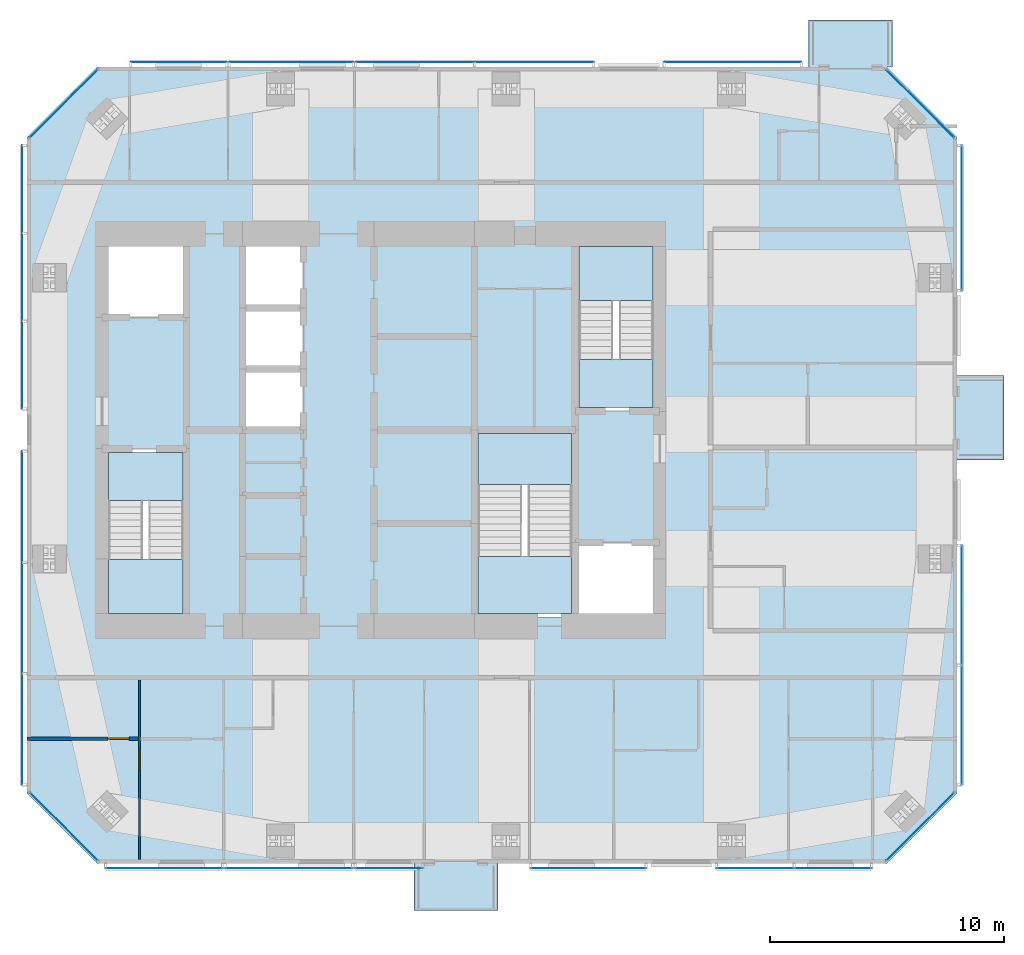
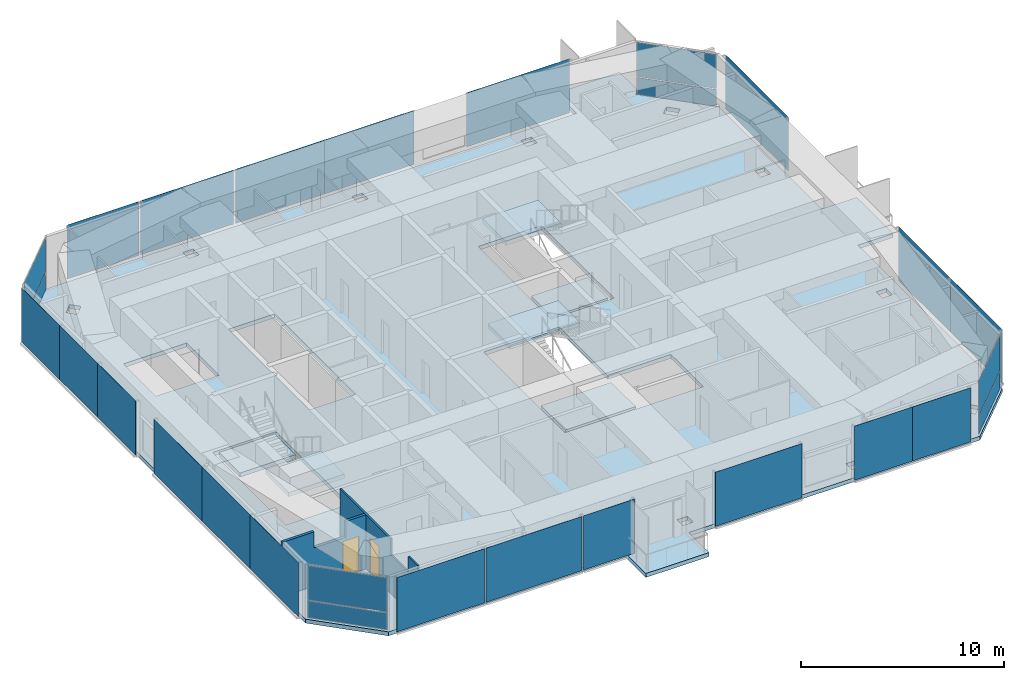
# One storey, part 12 of 18: 28 plates, 7 slabs, 2 doors, 2 walls, 2 openings, 20 elements without a shape of their own.
"""IFC4 building model written with IfcOpenShell, lengths in metres."""

import ifcopenshell
import ifcopenshell.guid

model = None  # the IFC model being written
_history = None  # IfcOwnerHistory: only IFC2X3 demands one
_inside = {}  # id of a spatial element -> (the spatial element, [elements in it])
_under = {}  # id of a project, library or spatial element -> (it, [spatial elements below it])
_declared = {}  # id of a project -> (the project, [libraries it declares])
_typed = {}  # id of a type object -> (the type object, [elements of that type])
_made_of = {}  # id of a material, layer set ... -> (it, [elements and type objects made of it])


def new_model(schema):
    """Start an empty IFC model of exactly this schema.

    Asked for "IFC4X3", IfcOpenShell would pick the latest addendum, in which some entities
    have other attributes; the version numbers below select the first issue.
    IFC2X3 requires an IfcOwnerHistory on every rooted entity: one is made here for all.
    """
    global model, _history
    if schema == "IFC4X3":
        model = ifcopenshell.file(schema_version=(4, 3, 0, 0))
    else:
        model = ifcopenshell.file(schema=schema)
    _inside.clear()
    _under.clear()
    _declared.clear()
    _typed.clear()
    _made_of.clear()
    _history = None
    if model.schema == "IFC2X3":
        org = make("IfcOrganization", Name="unknown")
        user = make(
            "IfcPersonAndOrganization",
            ThePerson=make("IfcPerson", FamilyName="unknown"),
            TheOrganization=org,
        )
        app = make(
            "IfcApplication",
            ApplicationDeveloper=org,
            Version="unknown",
            ApplicationFullName="unknown",
            ApplicationIdentifier="unknown",
        )
        _history = make(
            "IfcOwnerHistory",
            OwningUser=user,
            OwningApplication=app,
            ChangeAction="ADDED",
            CreationDate=0,
        )
    return model


def make(cls, **values):
    """One entity of the class cls with the attributes given. An attribute that is None is left unset."""
    return model.create_entity(
        cls, **{name: value for name, value in values.items() if value is not None}
    )


def rooted(cls, **values):
    """An entity with a GlobalId (a new one), such as an element, a storey or a relation."""
    return make(cls, GlobalId=ifcopenshell.guid.new(), OwnerHistory=_history, **values)


def si_unit(unit_type, name, prefix=None):
    """IfcSIUnit, for example si_unit("LENGTHUNIT", "METRE", prefix="MILLI")."""
    return make("IfcSIUnit", UnitType=unit_type, Prefix=prefix, Name=name)


def assignment(units):
    """IfcUnitAssignment: the units of a project."""
    return None if units is None else make("IfcUnitAssignment", Units=units)


def point(xyz):
    """IfcCartesianPoint."""
    return None if xyz is None else make("IfcCartesianPoint", Coordinates=xyz)


def direction(xyz):
    """IfcDirection."""
    return None if xyz is None else make("IfcDirection", DirectionRatios=xyz)


def frame(location, z_axis=None, x_axis=None):
    """IfcAxis2Placement3D, a coordinate frame: its origin and axes. An axis left out is left unset."""
    return make(
        "IfcAxis2Placement3D",
        Location=point(location),
        Axis=direction(z_axis),
        RefDirection=direction(x_axis),
    )


def frame_2d(location, x_axis=None):
    """IfcAxis2Placement2D, a coordinate frame in the plane: its origin and x axis."""
    return make(
        "IfcAxis2Placement2D", Location=point(location), RefDirection=direction(x_axis)
    )


def origin():
    """The frame at (0, 0, 0) with its axes left unset."""
    return frame((0.0, 0.0, 0.0))


def origin_2d():
    """The frame at (0, 0) in the plane with its x axis left unset."""
    return frame_2d((0.0, 0.0))


def place(relative_to, where):
    """IfcLocalPlacement: puts the frame where relative to a parent placement (None: the world)."""
    return make(
        "IfcLocalPlacement", PlacementRelTo=relative_to, RelativePlacement=where
    )


def context(
    kind, dimensions, precision=None, world=None, true_north=None, identifier=None
):
    """IfcGeometricRepresentationContext, for example the 3D "Model" context."""
    return make(
        "IfcGeometricRepresentationContext",
        ContextIdentifier=identifier,
        ContextType=kind,
        CoordinateSpaceDimension=dimensions,
        Precision=precision,
        WorldCoordinateSystem=world,
        TrueNorth=true_north,
    )


def subcontext(parent, identifier, kind, view, scale=None):
    """IfcGeometricRepresentationSubContext, for example "Body" below "Model"."""
    return make(
        "IfcGeometricRepresentationSubContext",
        ContextIdentifier=identifier,
        ContextType=kind,
        ParentContext=parent,
        TargetScale=scale,
        TargetView=view,
    )


def project(units=None, contexts=None):
    """IfcProject with its units and contexts."""
    return rooted(
        "IfcProject",
        Name="project",
        RepresentationContexts=contexts,
        UnitsInContext=assignment(units),
    )


def spatial(cls, under=None, at=None, **own):
    """A site, building, storey or space (cls), placed at a placement, below another one or the project."""
    s = rooted(cls, ObjectPlacement=at, **own)
    if under is not None:
        _under.setdefault(under.id(), (under, []))[1].append(s)
    return s


def polyline(points):
    """IfcPolyline through the points."""
    return make("IfcPolyline", Points=[point(p) for p in points])


def profile(cls, at=None, kind="AREA", **sizes):
    """A parametric profile (cls). Its sizes go by their IFC names, for example OverallWidth=200.0."""
    return make(cls, ProfileType=kind, Position=at, **sizes)


def rectangle(**sizes):
    """IfcRectangleProfileDef."""
    return profile("IfcRectangleProfileDef", **sizes)


def outline(outer, holes=None, kind="AREA"):
    """IfcArbitraryClosedProfileDef: a profile drawn as a closed curve; with holes, ...WithVoids."""
    if holes is None:
        return make("IfcArbitraryClosedProfileDef", ProfileType=kind, OuterCurve=outer)
    return make(
        "IfcArbitraryProfileDefWithVoids",
        ProfileType=kind,
        OuterCurve=outer,
        InnerCurves=holes,
    )


def extrude(swept, where, along, depth):
    """IfcExtrudedAreaSolid: the profile swept, set in the frame where, extruded along a direction by depth."""
    return make(
        "IfcExtrudedAreaSolid",
        SweptArea=swept,
        Position=where,
        ExtrudedDirection=direction(along),
        Depth=depth,
    )


def shape(context_of_items, identifier, shape_type, items):
    """IfcShapeRepresentation: the items that make up one representation, for example the "Body"."""
    return make(
        "IfcShapeRepresentation",
        ContextOfItems=context_of_items,
        RepresentationIdentifier=identifier,
        RepresentationType=shape_type,
        Items=items,
    )


def material(Name=None, Category=None):
    """IfcMaterial."""
    return make("IfcMaterial", Name=Name, Category=Category)


def layer(
    of_material, thickness, ventilated=None, Name=None, Category=None, Priority=None
):
    """IfcMaterialLayer: one layer of a wall or slab, of a material (None: an air gap)."""
    return make(
        "IfcMaterialLayer",
        Material=of_material,
        LayerThickness=thickness,
        IsVentilated=ventilated,
        Name=Name,
        Category=Category,
        Priority=Priority,
    )


def layer_set(layers, Name=None):
    """IfcMaterialLayerSet."""
    return make("IfcMaterialLayerSet", MaterialLayers=layers, LayerSetName=Name)


def constituent(of_material, Name=None, Category=None, fraction=None):
    """IfcMaterialConstituent: one of the materials an element consists of."""
    return make(
        "IfcMaterialConstituent",
        Name=Name,
        Material=of_material,
        Fraction=fraction,
        Category=Category,
    )


def constituent_set(constituents=None, Name=None):
    """IfcMaterialConstituentSet."""
    return make(
        "IfcMaterialConstituentSet", Name=Name, MaterialConstituents=constituents
    )


def made_of(thing, what):
    """Note that an element or type object is made of a material, layer set ...; save() writes the relation."""
    if what is not None:
        _made_of.setdefault(what.id(), (what, []))[1].append(thing)
    return thing


def type_object(cls, material=None, **own):
    """A type object (cls), such as IfcWallType, which elements share."""
    return made_of(rooted(cls, **own), material)


def element(
    cls,
    number,
    at=None,
    inside=None,
    cuts=None,
    type_object=None,
    material=None,
    context=None,
    identifier="Body",
    shape_type=None,
    held_by="IfcProductDefinitionShape",
    body=None,
    shapes=None,
    **own,
):
    """One element of the class cls, such as IfcWall. Its Tag is "e" and its number.

    at: its placement. inside: the storey or other place that contains it. cuts: it is an
    opening in that element (IfcRelVoidsElement). A single representation is given by context,
    identifier, shape_type and body (its items); several are given by shapes. held_by: the class
    of the entity that holds the representations. save() writes the other relations.
    """
    e = rooted(cls, Tag="e%d" % number, ObjectPlacement=at, **own)
    if body is not None:
        shapes = [shape(context, identifier, shape_type, body)]
    if shapes is not None:
        e.Representation = make(held_by, Representations=shapes)
    if inside is not None:
        _inside.setdefault(inside.id(), (inside, []))[1].append(e)
    if cuts is not None:
        rooted(
            "IfcRelVoidsElement", RelatingBuildingElement=cuts, RelatedOpeningElement=e
        )
    if type_object is not None:
        _typed.setdefault(type_object.id(), (type_object, []))[1].append(e)
    return made_of(e, material)


def fill(opening, filler):
    """IfcRelFillsElement: the door or window that sits in an opening."""
    return rooted(
        "IfcRelFillsElement",
        RelatingOpeningElement=opening,
        RelatedBuildingElement=filler,
    )


def aggregate(whole, parts):
    """IfcRelAggregates: a whole, such as a stair, and the parts it consists of."""
    return rooted("IfcRelAggregates", RelatingObject=whole, RelatedObjects=parts)


def save(model, path):
    """Write the relations noted so far, then the file.

    IfcRelAggregates (storeys below a building ...), IfcRelContainedInSpatialStructure (elements
    in a storey), IfcRelDefinesByType, IfcRelAssociatesMaterial and IfcRelDeclares: one each for
    every whole, place, type object, material and project.
    """
    for whole, parts in _under.values():
        aggregate(whole, parts)
    for where, things in _inside.values():
        rooted(
            "IfcRelContainedInSpatialStructure",
            RelatedElements=things,
            RelatingStructure=where,
        )
    for kind, things in _typed.values():
        rooted("IfcRelDefinesByType", RelatedObjects=things, RelatingType=kind)
    for what, things in _made_of.values():
        rooted("IfcRelAssociatesMaterial", RelatedObjects=things, RelatingMaterial=what)
    for by, libraries in _declared.values():
        rooted("IfcRelDeclares", RelatingContext=by, RelatedDefinitions=libraries)
    model.write(path)


model = new_model("IFC4")

# Units and contexts
model_context = context("Model", 3, precision=1e-05, world=origin(), true_north=direction((0.0, 1.0)))
body_context = subcontext(model_context, "Body", "Model", "MODEL_VIEW")
ifc_project = project(units=[si_unit("LENGTHUNIT", "METRE"), si_unit("AREAUNIT", "SQUARE_METRE"), si_unit("VOLUMEUNIT", "CUBIC_METRE"), si_unit("PLANEANGLEUNIT", "RADIAN"), si_unit("MASSUNIT", "GRAM", prefix="KILO")], contexts=[model_context])

# Site, building, storey
site_placement = place(None, origin())
site = spatial("IfcSite", under=ifc_project, at=site_placement, CompositionType="ELEMENT")
building_placement = place(site_placement, origin())
building = spatial("IfcBuilding", under=site, at=building_placement, Name="Jalousie Tower", CompositionType="ELEMENT")
storey_placement = place(building_placement, frame((0.0, 0.0, 252.949951171875)))
storey = spatial("IfcBuildingStorey", under=building, at=storey_placement, Name="L69", CompositionType="ELEMENT", Elevation=252.949951171875)

# Curtain wall, plates
ifc_material_1 = material(Name="Aluminium curtain wall", Category="aluminium")
curtain_wall_type_1 = type_object("IfcCurtainWallType", Name="CORNER WINDOW WALL", PredefinedType="USERDEFINED", material=ifc_material_1)
curtain_wall_1_placement = place(storey_placement, origin())
curtain_wall_1 = element("IfcCurtainWall", 1, at=curtain_wall_1_placement, inside=storey, type_object=curtain_wall_type_1, Name="Corner Window Wall L69 2", ObjectType="CORNER WINDOW WALL", PredefinedType="USERDEFINED")
ifc_material_2 = material(Name="Laminated impact-rated spandrel glass", Category="glass")
ifc_layer_1 = layer(ifc_material_2, 0.028076171875)
ifc_layer_set_1 = layer_set([ifc_layer_1], Name="Laminated impact-rated spandrel glass")
plate_type_1 = type_object("IfcPlateType", Name="CORNER WINDOW WALL PANEL", PredefinedType="CURTAIN_PANEL", material=ifc_layer_set_1)
plate_1_placement = place(storey_placement, frame((54.9306640625, 1.5693359375, 0.06005859375), z_axis=(0.0, 0.0, 1.0), x_axis=(0.707106781187, 0.707106781187, 0.0)))
plate_1 = element("IfcPlate", 2, at=plate_1_placement, type_object=plate_type_1, Name="CW-C panel 1.1", PredefinedType="CURTAIN_PANEL", context=body_context, shape_type="SweptSolid", body=[
    extrude(rectangle(XDim=4.071533203125, YDim=0.028076171875, at=origin_2d()), origin(), (0.0, 0.0, 1.0), 1.010009765625),
])
plate_2_placement = place(storey_placement, frame((54.9306640625, 1.5693359375, 1.1298828125), z_axis=(0.0, 0.0, 1.0), x_axis=(0.707106781187, 0.707106781187, 0.0)))
plate_2 = element("IfcPlate", 3, at=plate_2_placement, type_object=plate_type_1, Name="CW-C panel 1.2", PredefinedType="CURTAIN_PANEL", context=body_context, shape_type="SweptSolid", body=[
    extrude(rectangle(XDim=4.071533203125, YDim=0.028076171875, at=origin_2d()), origin(), (0.0, 0.0, 1.0), 2.070068359375),
])
aggregate(curtain_wall_1, [plate_1, plate_2])

curtain_wall_2_placement = place(storey_placement, origin())
curtain_wall_2 = element("IfcCurtainWall", 4, at=curtain_wall_2_placement, inside=storey, type_object=curtain_wall_type_1, Name="Corner Window Wall L69 4", ObjectType="CORNER WINDOW WALL", PredefinedType="USERDEFINED")
plate_3_placement = place(storey_placement, frame((54.9306640625, 32.4306640625, 0.06005859375), z_axis=(0.0, 0.0, 1.0), x_axis=(-0.707106781187, 0.707106781187, 0.0)))
plate_3 = element("IfcPlate", 5, at=plate_3_placement, type_object=plate_type_1, Name="CW-C panel 1.1", PredefinedType="CURTAIN_PANEL", context=body_context, shape_type="SweptSolid", body=[
    extrude(rectangle(XDim=4.071533203125, YDim=0.028076171875, at=origin_2d()), origin(), (0.0, 0.0, 1.0), 1.010009765625),
])
plate_4_placement = place(storey_placement, frame((54.9306640625, 32.4306640625, 1.1298828125), z_axis=(0.0, 0.0, 1.0), x_axis=(-0.707106781187, 0.707106781187, 0.0)))
plate_4 = element("IfcPlate", 6, at=plate_4_placement, type_object=plate_type_1, Name="CW-C panel 1.2", PredefinedType="CURTAIN_PANEL", context=body_context, shape_type="SweptSolid", body=[
    extrude(rectangle(XDim=4.071533203125, YDim=0.028076171875, at=origin_2d()), origin(), (0.0, 0.0, 1.0), 2.070068359375),
])
aggregate(curtain_wall_2, [plate_3, plate_4])

curtain_wall_3_placement = place(storey_placement, origin())
curtain_wall_3 = element("IfcCurtainWall", 7, at=curtain_wall_3_placement, inside=storey, type_object=curtain_wall_type_1, Name="Corner Window Wall L69 6", ObjectType="CORNER WINDOW WALL", PredefinedType="USERDEFINED")
plate_5_placement = place(storey_placement, frame((18.369384765625, 32.4306640625, 0.06005859375), z_axis=(0.0, 0.0, 1.0), x_axis=(-0.707106781187, -0.707106781187, 0.0)))
plate_5 = element("IfcPlate", 8, at=plate_5_placement, type_object=plate_type_1, Name="CW-C panel 1.1", PredefinedType="CURTAIN_PANEL", context=body_context, shape_type="SweptSolid", body=[
    extrude(rectangle(XDim=4.071533203125, YDim=0.028076171875, at=origin_2d()), origin(), (0.0, 0.0, 1.0), 1.010009765625),
])
plate_6_placement = place(storey_placement, frame((18.369384765625, 32.4306640625, 1.1298828125), z_axis=(0.0, 0.0, 1.0), x_axis=(-0.707106781187, -0.707106781187, 0.0)))
plate_6 = element("IfcPlate", 9, at=plate_6_placement, type_object=plate_type_1, Name="CW-C panel 1.2", PredefinedType="CURTAIN_PANEL", context=body_context, shape_type="SweptSolid", body=[
    extrude(rectangle(XDim=4.071533203125, YDim=0.028076171875, at=origin_2d()), origin(), (0.0, 0.0, 1.0), 2.070068359375),
])
aggregate(curtain_wall_3, [plate_5, plate_6])

curtain_wall_4_placement = place(storey_placement, origin())
curtain_wall_4 = element("IfcCurtainWall", 10, at=curtain_wall_4_placement, inside=storey, type_object=curtain_wall_type_1, Name="Corner Window Wall L69 8", ObjectType="CORNER WINDOW WALL", PredefinedType="USERDEFINED")
plate_7_placement = place(storey_placement, frame((18.369384765625, 1.5693359375, 0.06005859375), z_axis=(0.0, 0.0, 1.0), x_axis=(0.707106781187, -0.707106781187, 0.0)))
plate_7 = element("IfcPlate", 11, at=plate_7_placement, type_object=plate_type_1, Name="CW-C panel 1.1", PredefinedType="CURTAIN_PANEL", context=body_context, shape_type="SweptSolid", body=[
    extrude(rectangle(XDim=4.071533203125, YDim=0.028076171875, at=origin_2d()), origin(), (0.0, 0.0, 1.0), 1.010009765625),
])
plate_8_placement = place(storey_placement, frame((18.369384765625, 1.5693359375, 1.1298828125), z_axis=(0.0, 0.0, 1.0), x_axis=(0.707106781187, -0.707106781187, 0.0)))
plate_8 = element("IfcPlate", 12, at=plate_8_placement, type_object=plate_type_1, Name="CW-C panel 1.2", PredefinedType="CURTAIN_PANEL", context=body_context, shape_type="SweptSolid", body=[
    extrude(rectangle(XDim=4.071533203125, YDim=0.028076171875, at=origin_2d()), origin(), (0.0, 0.0, 1.0), 2.070068359375),
])
aggregate(curtain_wall_4, [plate_7, plate_8])

# Slab
ifc_material_3 = material(Name="Concrete f'c 40 MPa", Category="concrete")
ifc_layer_2 = layer(ifc_material_3, 0.239990234375)
ifc_layer_set_2 = layer_set([ifc_layer_2], Name="Concrete f'c 40 MPa")
slab_type_1 = type_object("IfcSlabType", Name="FLOOR SLAB 240", PredefinedType="FLOOR", material=ifc_layer_set_2)
slab_1_placement = place(storey_placement, frame((0.0, 0.0, -0.239990234375)))
element("IfcSlab", 13, at=slab_1_placement, inside=storey, type_object=slab_type_1, Name="L69 floor slab", PredefinedType="FLOOR", context=body_context, shape_type="SweptSolid", body=[
    extrude(outline(polyline([(19.800048828125, 34.0), (50.148681640625, 34.0), (50.148681640625, 36.0), (53.748779296875, 36.0), (53.748779296875, 34.0), (53.5, 34.0), (56.5, 31.0), (56.5, 20.824951171875), (58.5, 20.824951171875), (58.5, 17.22509765625), (56.5, 17.22509765625), (56.5, 3.0), (53.5, 0.0), (36.909912109375, 0.0), (36.909912109375, -2.0), (33.31005859375, -2.0), (33.31005859375, 0.0), (19.800048828125, 0.0), (16.800048828125, 3.0), (16.800048828125, 31.0), (19.800048828125, 34.0)]), holes=[polyline([(55.263916015625, 25.300048828125), (55.263916015625, 24.699951171875), (55.836181640625, 24.699951171875), (55.836181640625, 25.300048828125), (55.263916015625, 25.300048828125)]), polyline([(55.836181640625, 12.699951171875), (55.836181640625, 13.300048828125), (55.263916015625, 13.300048828125), (55.263916015625, 12.699951171875), (55.836181640625, 12.699951171875)]), polyline([(54.337890625, 2.656982421875), (53.843017578125, 2.162109375), (54.247802734375, 1.757080078125), (54.742919921875, 2.252197265625), (54.337890625, 2.656982421875)]), polyline([(54.742919921875, 31.747802734375), (54.247802734375, 32.242919921875), (53.843017578125, 31.837890625), (54.337890625, 31.343017578125), (54.742919921875, 31.747802734375)]), polyline([(47.175048828125, 33.336181640625), (46.574951171875, 33.336181640625), (46.574951171875, 32.763916015625), (47.175048828125, 32.763916015625), (47.175048828125, 33.336181640625)]), polyline([(47.175048828125, 1.236083984375), (46.574951171875, 1.236083984375), (46.574951171875, 0.663818359375), (47.175048828125, 0.663818359375), (47.175048828125, 1.236083984375)]), polyline([(40.199951171875, 26.5), (40.199951171875, 19.300048828125), (43.800048828125, 19.300048828125), (43.800048828125, 26.5), (40.199951171875, 26.5)]), polyline([(40.199951171875, 13.699951171875), (40.199951171875, 18.5), (35.89990234375, 18.5), (35.89990234375, 10.5), (43.800048828125, 10.5), (43.800048828125, 13.699951171875), (40.199951171875, 13.699951171875)]), polyline([(36.949951171875, 0.663818359375), (37.550048828125, 0.663818359375), (37.550048828125, 1.236083984375), (36.949951171875, 1.236083984375), (36.949951171875, 0.663818359375)]), polyline([(37.550048828125, 33.336181640625), (36.949951171875, 33.336181640625), (36.949951171875, 32.763916015625), (37.550048828125, 32.763916015625), (37.550048828125, 33.336181640625)]), polyline([(26.0, 26.5), (26.0, 18.5), (28.60009765625, 18.5), (28.60009765625, 26.5), (26.0, 26.5)]), polyline([(27.925048828125, 33.336181640625), (27.324951171875, 33.336181640625), (27.324951171875, 32.763916015625), (27.925048828125, 32.763916015625), (27.925048828125, 33.336181640625)]), polyline([(27.925048828125, 1.236083984375), (27.324951171875, 1.236083984375), (27.324951171875, 0.663818359375), (27.925048828125, 0.663818359375), (27.925048828125, 1.236083984375)]), polyline([(20.0, 26.5), (20.0, 23.300048828125), (23.60009765625, 23.300048828125), (23.60009765625, 26.5), (20.0, 26.5)]), polyline([(20.0, 17.699951171875), (20.0, 10.5), (23.60009765625, 10.5), (23.60009765625, 17.699951171875), (20.0, 17.699951171875)]), polyline([(20.656982421875, 2.162109375), (20.162109375, 2.656982421875), (19.757080078125, 2.252197265625), (20.252197265625, 1.757080078125), (20.656982421875, 2.162109375)]), polyline([(20.656982421875, 31.837890625), (20.252197265625, 32.242919921875), (19.757080078125, 31.747802734375), (20.162109375, 31.343017578125), (20.656982421875, 31.837890625)]), polyline([(17.4638671875, 13.300048828125), (17.4638671875, 12.699951171875), (18.0361328125, 12.699951171875), (18.0361328125, 13.300048828125), (17.4638671875, 13.300048828125)]), polyline([(18.0361328125, 24.699951171875), (18.0361328125, 25.300048828125), (17.4638671875, 25.300048828125), (17.4638671875, 24.699951171875), (18.0361328125, 24.699951171875)])]), origin(), (0.0, 0.0, 1.0), 0.239990234375),
])

# Curtain wall, plate
ifc_material_4 = material(Name="Perforated aluminium sheet", Category="aluminium")
curtain_wall_type_2 = type_object("IfcCurtainWallType", Name="SOLAR SCREEN SS-2", PredefinedType="USERDEFINED", material=ifc_material_4)
curtain_wall_5_placement = place(storey_placement, origin())
curtain_wall_5 = element("IfcCurtainWall", 14, at=curtain_wall_5_placement, inside=storey, type_object=curtain_wall_type_2, Name="Solar screen L69", ObjectType="SOLAR SCREEN SS-2", PredefinedType="USERDEFINED")
ifc_material_5 = material(Name="Perforated aluminium sheet", Category="aluminium")
ifc_layer_3 = layer(ifc_material_5, 0.006103515625)
ifc_layer_set_3 = layer_set([ifc_layer_3], Name="Perforated aluminium sheet")
plate_type_2 = type_object("IfcPlateType", Name="SOLAR SCREEN SS-2 PANEL", PredefinedType="CURTAIN_PANEL", material=ifc_layer_set_3)
plate_9_placement = place(storey_placement, frame((22.650634765625, -0.201171875, 0.0), z_axis=(0.0, 0.0, 1.0), x_axis=(1.0, 0.0, 0.0)))
plate_9 = element("IfcPlate", 15, at=plate_9_placement, type_object=plate_type_2, Name="SS2 perforated panel 1", PredefinedType="CURTAIN_PANEL", context=body_context, shape_type="SweptSolid", body=[
    extrude(rectangle(XDim=4.998779296875, YDim=0.006103515625, at=origin_2d()), origin(), (0.0, 0.0, 1.0), 3.260009765625),
])
aggregate(curtain_wall_5, [plate_9])

curtain_wall_6_placement = place(storey_placement, origin())
curtain_wall_6 = element("IfcCurtainWall", 16, at=curtain_wall_6_placement, inside=storey, type_object=curtain_wall_type_2, Name="Solar screen L69", ObjectType="SOLAR SCREEN SS-2", PredefinedType="USERDEFINED")
plate_10_placement = place(storey_placement, frame((27.97509765625, -0.201171875, 0.0), z_axis=(0.0, 0.0, 1.0), x_axis=(1.0, 0.0, 0.0)))
plate_10 = element("IfcPlate", 17, at=plate_10_placement, type_object=plate_type_2, Name="SS2 perforated panel 1", PredefinedType="CURTAIN_PANEL", context=body_context, shape_type="SweptSolid", body=[
    extrude(rectangle(XDim=5.449951171875, YDim=0.006103515625, at=origin_2d()), origin(), (0.0, 0.0, 1.0), 3.260009765625),
])
aggregate(curtain_wall_6, [plate_10])

curtain_wall_7_placement = place(storey_placement, origin())
curtain_wall_7 = element("IfcCurtainWall", 18, at=curtain_wall_7_placement, inside=storey, type_object=curtain_wall_type_2, Name="Solar screen L69", ObjectType="SOLAR SCREEN SS-2", PredefinedType="USERDEFINED")
plate_11_placement = place(storey_placement, frame((32.25, -0.201171875, 0.0), z_axis=(0.0, 0.0, 1.0), x_axis=(1.0, 0.0, 0.0)))
plate_11 = element("IfcPlate", 19, at=plate_11_placement, type_object=plate_type_2, Name="SS2 perforated panel 1", PredefinedType="CURTAIN_PANEL", context=body_context, shape_type="SweptSolid", body=[
    extrude(rectangle(XDim=2.89990234375, YDim=0.006103515625, at=origin_2d()), origin(), (0.0, 0.0, 1.0), 3.260009765625),
])
aggregate(curtain_wall_7, [plate_11])

curtain_wall_8_placement = place(storey_placement, origin())
curtain_wall_8 = element("IfcCurtainWall", 20, at=curtain_wall_8_placement, inside=storey, type_object=curtain_wall_type_2, Name="Solar screen L69", ObjectType="SOLAR SCREEN SS-2", PredefinedType="USERDEFINED")
plate_12_placement = place(storey_placement, frame((40.762451171875, -0.201171875, 0.0), z_axis=(0.0, 0.0, 1.0), x_axis=(1.0, 0.0, 0.0)))
plate_12 = element("IfcPlate", 21, at=plate_12_placement, type_object=plate_type_2, Name="SS2 perforated panel 1", PredefinedType="CURTAIN_PANEL", context=body_context, shape_type="SweptSolid", body=[
    extrude(rectangle(XDim=4.925048828125, YDim=0.006103515625, at=origin_2d()), origin(), (0.0, 0.0, 1.0), 3.260009765625),
])
aggregate(curtain_wall_8, [plate_12])

# Curtain wall, plates
curtain_wall_9_placement = place(storey_placement, origin())
curtain_wall_9 = element("IfcCurtainWall", 22, at=curtain_wall_9_placement, inside=storey, type_object=curtain_wall_type_2, Name="Solar screen L69", ObjectType="SOLAR SCREEN SS-2", PredefinedType="USERDEFINED")
plate_13_placement = place(storey_placement, frame((47.88134765625, -0.201171875, 0.0), z_axis=(0.0, 0.0, 1.0), x_axis=(1.0, 0.0, 0.0)))
plate_13 = element("IfcPlate", 23, at=plate_13_placement, type_object=plate_type_2, Name="SS2 perforated panel 1", PredefinedType="CURTAIN_PANEL", context=body_context, shape_type="SweptSolid", body=[
    extrude(rectangle(XDim=3.3125, YDim=0.006103515625, at=origin_2d()), origin(), (0.0, 0.0, 1.0), 3.260009765625),
])
plate_14_placement = place(storey_placement, frame((51.19384765625, -0.201171875, 0.0), z_axis=(0.0, 0.0, 1.0), x_axis=(1.0, 0.0, 0.0)))
plate_14 = element("IfcPlate", 24, at=plate_14_placement, type_object=plate_type_2, Name="SS2 perforated panel 2", PredefinedType="CURTAIN_PANEL", context=body_context, shape_type="SweptSolid", body=[
    extrude(rectangle(XDim=3.3125, YDim=0.006103515625, at=origin_2d()), origin(), (0.0, 0.0, 1.0), 3.260009765625),
])
aggregate(curtain_wall_9, [plate_13, plate_14])

curtain_wall_10_placement = place(storey_placement, origin())
curtain_wall_10 = element("IfcCurtainWall", 25, at=curtain_wall_10_placement, inside=storey, type_object=curtain_wall_type_2, Name="Solar screen L69", ObjectType="SOLAR SCREEN SS-2", PredefinedType="USERDEFINED")
plate_15_placement = place(storey_placement, frame((56.701171875, 5.908935546875, 0.0), z_axis=(0.0, 0.0, 1.0), x_axis=(0.0, 1.0, 0.0)))
plate_15 = element("IfcPlate", 26, at=plate_15_placement, type_object=plate_type_2, Name="SS2 perforated panel 1", PredefinedType="CURTAIN_PANEL", context=body_context, shape_type="SweptSolid", body=[
    extrude(rectangle(XDim=5.115234375, YDim=0.006103515625, at=origin_2d()), origin(), (0.0, 0.0, 1.0), 3.260009765625),
])
plate_16_placement = place(storey_placement, frame((56.701171875, 11.024169921875, 0.0), z_axis=(0.0, 0.0, 1.0), x_axis=(0.0, 1.0, 0.0)))
plate_16 = element("IfcPlate", 27, at=plate_16_placement, type_object=plate_type_2, Name="SS2 perforated panel 2", PredefinedType="CURTAIN_PANEL", context=body_context, shape_type="SweptSolid", body=[
    extrude(rectangle(XDim=5.115234375, YDim=0.006103515625, at=origin_2d()), origin(), (0.0, 0.0, 1.0), 3.260009765625),
])
aggregate(curtain_wall_10, [plate_15, plate_16])

# Curtain wall, plate
curtain_wall_11_placement = place(storey_placement, origin())
curtain_wall_11 = element("IfcCurtainWall", 28, at=curtain_wall_11_placement, inside=storey, type_object=curtain_wall_type_2, Name="Solar screen L69", ObjectType="SOLAR SCREEN SS-2", PredefinedType="USERDEFINED")
plate_17_placement = place(storey_placement, frame((56.701171875, 27.54931640625, 0.0), z_axis=(0.0, 0.0, 1.0), x_axis=(0.0, 1.0, 0.0)))
plate_17 = element("IfcPlate", 29, at=plate_17_placement, type_object=plate_type_2, Name="SS2 perforated panel 1", PredefinedType="CURTAIN_PANEL", context=body_context, shape_type="SweptSolid", body=[
    extrude(rectangle(XDim=6.19873046875, YDim=0.006103515625, at=origin_2d()), origin(), (0.0, 0.0, 1.0), 3.260009765625),
])
aggregate(curtain_wall_11, [plate_17])

curtain_wall_12_placement = place(storey_placement, origin())
curtain_wall_12 = element("IfcCurtainWall", 30, at=curtain_wall_12_placement, inside=storey, type_object=curtain_wall_type_2, Name="Solar screen L69", ObjectType="SOLAR SCREEN SS-2", PredefinedType="USERDEFINED")
plate_18_placement = place(storey_placement, frame((46.918701171875, 34.201171875, 0.0), z_axis=(0.0, 0.0, 1.0), x_axis=(-1.0, 0.0, 0.0)))
plate_18 = element("IfcPlate", 31, at=plate_18_placement, type_object=plate_type_2, Name="SS2 perforated panel 1", PredefinedType="CURTAIN_PANEL", context=body_context, shape_type="SweptSolid", body=[
    extrude(rectangle(XDim=5.860107421875, YDim=0.006103515625, at=origin_2d()), origin(), (0.0, 0.0, 1.0), 3.260009765625),
])
aggregate(curtain_wall_12, [plate_18])

# Curtain wall, plates
curtain_wall_13_placement = place(storey_placement, origin())
curtain_wall_13 = element("IfcCurtainWall", 32, at=curtain_wall_13_placement, inside=storey, type_object=curtain_wall_type_2, Name="Solar screen L69", ObjectType="SOLAR SCREEN SS-2", PredefinedType="USERDEFINED")
plate_19_placement = place(storey_placement, frame((38.44775390625, 34.201171875, 0.0), z_axis=(0.0, 0.0, 1.0), x_axis=(-1.0, 0.0, 0.0)))
plate_19 = element("IfcPlate", 33, at=plate_19_placement, type_object=plate_type_2, Name="SS2 perforated panel 1", PredefinedType="CURTAIN_PANEL", context=body_context, shape_type="SweptSolid", body=[
    extrude(rectangle(XDim=5.081787109375, YDim=0.006103515625, at=origin_2d()), origin(), (0.0, 0.0, 1.0), 3.260009765625),
])
plate_20_placement = place(storey_placement, frame((33.365966796875, 34.201171875, 0.0), z_axis=(0.0, 0.0, 1.0), x_axis=(-1.0, 0.0, 0.0)))
plate_20 = element("IfcPlate", 34, at=plate_20_placement, type_object=plate_type_2, Name="SS2 perforated panel 2", PredefinedType="CURTAIN_PANEL", context=body_context, shape_type="SweptSolid", body=[
    extrude(rectangle(XDim=5.081787109375, YDim=0.006103515625, at=origin_2d()), origin(), (0.0, 0.0, 1.0), 3.260009765625),
])
aggregate(curtain_wall_13, [plate_19, plate_20])

# Curtain wall, plate
curtain_wall_14_placement = place(storey_placement, origin())
curtain_wall_14 = element("IfcCurtainWall", 35, at=curtain_wall_14_placement, inside=storey, type_object=curtain_wall_type_2, Name="Solar screen L69", ObjectType="SOLAR SCREEN SS-2", PredefinedType="USERDEFINED")
plate_21_placement = place(storey_placement, frame((28.074951171875, 34.201171875, 0.0), z_axis=(0.0, 0.0, 1.0), x_axis=(-1.0, 0.0, 0.0)))
plate_21 = element("IfcPlate", 36, at=plate_21_placement, type_object=plate_type_2, Name="SS2 perforated panel 1", PredefinedType="CURTAIN_PANEL", context=body_context, shape_type="SweptSolid", body=[
    extrude(rectangle(XDim=5.300048828125, YDim=0.006103515625, at=origin_2d()), origin(), (0.0, 0.0, 1.0), 3.260009765625),
])
aggregate(curtain_wall_14, [plate_21])

curtain_wall_15_placement = place(storey_placement, origin())
curtain_wall_15 = element("IfcCurtainWall", 37, at=curtain_wall_15_placement, inside=storey, type_object=curtain_wall_type_2, Name="Solar screen L69", ObjectType="SOLAR SCREEN SS-2", PredefinedType="USERDEFINED")
plate_22_placement = place(storey_placement, frame((23.275634765625, 34.201171875, 0.0), z_axis=(0.0, 0.0, 1.0), x_axis=(-1.0, 0.0, 0.0)))
plate_22 = element("IfcPlate", 38, at=plate_22_placement, type_object=plate_type_2, Name="SS2 perforated panel 1", PredefinedType="CURTAIN_PANEL", context=body_context, shape_type="SweptSolid", body=[
    extrude(rectangle(XDim=4.0986328125, YDim=0.006103515625, at=origin_2d()), origin(), (0.0, 0.0, 1.0), 3.260009765625),
])
aggregate(curtain_wall_15, [plate_22])

# Curtain wall, plates
curtain_wall_16_placement = place(storey_placement, origin())
curtain_wall_16 = element("IfcCurtainWall", 39, at=curtain_wall_16_placement, inside=storey, type_object=curtain_wall_type_2, Name="Solar screen L69", ObjectType="SOLAR SCREEN SS-2", PredefinedType="USERDEFINED")
plate_23_placement = place(storey_placement, frame((16.598876953125, 28.77392578125, 0.0), z_axis=(0.0, 0.0, 1.0), x_axis=(0.0, -1.0, 0.0)))
plate_23 = element("IfcPlate", 40, at=plate_23_placement, type_object=plate_type_2, Name="SS2 perforated panel 1", PredefinedType="CURTAIN_PANEL", context=body_context, shape_type="SweptSolid", body=[
    extrude(rectangle(XDim=3.74951171875, YDim=0.006103515625, at=origin_2d()), origin(), (0.0, 0.0, 1.0), 3.260009765625),
])
plate_24_placement = place(storey_placement, frame((16.598876953125, 25.0244140625, 0.0), z_axis=(0.0, 0.0, 1.0), x_axis=(0.0, -1.0, 0.0)))
plate_24 = element("IfcPlate", 41, at=plate_24_placement, type_object=plate_type_2, Name="SS2 perforated panel 2", PredefinedType="CURTAIN_PANEL", context=body_context, shape_type="SweptSolid", body=[
    extrude(rectangle(XDim=3.74951171875, YDim=0.006103515625, at=origin_2d()), origin(), (0.0, 0.0, 1.0), 3.260009765625),
])
plate_25_placement = place(storey_placement, frame((16.598876953125, 21.27490234375, 0.0), z_axis=(0.0, 0.0, 1.0), x_axis=(0.0, -1.0, 0.0)))
plate_25 = element("IfcPlate", 42, at=plate_25_placement, type_object=plate_type_2, Name="SS2 perforated panel 3", PredefinedType="CURTAIN_PANEL", context=body_context, shape_type="SweptSolid", body=[
    extrude(rectangle(XDim=3.74951171875, YDim=0.006103515625, at=origin_2d()), origin(), (0.0, 0.0, 1.0), 3.260009765625),
])
aggregate(curtain_wall_16, [plate_23, plate_24, plate_25])

curtain_wall_17_placement = place(storey_placement, origin())
curtain_wall_17 = element("IfcCurtainWall", 43, at=curtain_wall_17_placement, inside=storey, type_object=curtain_wall_type_2, Name="Solar screen L69", ObjectType="SOLAR SCREEN SS-2", PredefinedType="USERDEFINED")
plate_26_placement = place(storey_placement, frame((16.598876953125, 15.22509765625, 0.0), z_axis=(0.0, 0.0, 1.0), x_axis=(0.0, -1.0, 0.0)))
plate_26 = element("IfcPlate", 44, at=plate_26_placement, type_object=plate_type_2, Name="SS2 perforated panel 1", PredefinedType="CURTAIN_PANEL", context=body_context, shape_type="SweptSolid", body=[
    extrude(rectangle(XDim=4.74951171875, YDim=0.006103515625, at=origin_2d()), origin(), (0.0, 0.0, 1.0), 3.260009765625),
])
plate_27_placement = place(storey_placement, frame((16.598876953125, 10.4755859375, 0.0), z_axis=(0.0, 0.0, 1.0), x_axis=(0.0, -1.0, 0.0)))
plate_27 = element("IfcPlate", 45, at=plate_27_placement, type_object=plate_type_2, Name="SS2 perforated panel 2", PredefinedType="CURTAIN_PANEL", context=body_context, shape_type="SweptSolid", body=[
    extrude(rectangle(XDim=4.74951171875, YDim=0.006103515625, at=origin_2d()), origin(), (0.0, 0.0, 1.0), 3.260009765625),
])
plate_28_placement = place(storey_placement, frame((16.598876953125, 5.72607421875, 0.0), z_axis=(0.0, 0.0, 1.0), x_axis=(0.0, -1.0, 0.0)))
plate_28 = element("IfcPlate", 46, at=plate_28_placement, type_object=plate_type_2, Name="SS2 perforated panel 3", PredefinedType="CURTAIN_PANEL", context=body_context, shape_type="SweptSolid", body=[
    extrude(rectangle(XDim=4.74951171875, YDim=0.006103515625, at=origin_2d()), origin(), (0.0, 0.0, 1.0), 3.260009765625),
])
aggregate(curtain_wall_17, [plate_26, plate_27, plate_28])

# Stair, slabs
ifc_material_6 = material(Name="Concrete f'c 40 MPa", Category="concrete")
stair_type = type_object("IfcStairType", Name="EXIT STAIR", PredefinedType="HALF_TURN_STAIR", material=ifc_material_6)
stair_1_placement = place(storey_placement, origin())
stair_1 = element("IfcStair", 47, at=stair_1_placement, inside=storey, type_object=stair_type, Name="Exit stair A L69", PredefinedType="HALF_TURN_STAIR")
ifc_material_7 = material(Name="Concrete f'c 40 MPa", Category="concrete")
ifc_layer_4 = layer(ifc_material_7, 0.25)
ifc_layer_set_4 = layer_set([ifc_layer_4], Name="Concrete f'c 40 MPa")
slab_type_2 = type_object("IfcSlabType", Name="STAIR LANDING 250", PredefinedType="LANDING", material=ifc_layer_set_4)
slab_2_placement = place(storey_placement, frame((0.0, 0.0, -0.25)))
slab_2 = element("IfcSlab", 48, at=slab_2_placement, type_object=slab_type_2, Name="ST-A landing 1", PredefinedType="LANDING", context=body_context, shape_type="SweptSolid", body=[
    extrude(outline(polyline([(20.27490234375, 15.49755859375), (23.449951171875, 15.49755859375), (23.449951171875, 17.550048828125), (20.27490234375, 17.550048828125), (20.27490234375, 15.49755859375)])), origin(), (0.0, 0.0, 1.0), 0.25),
])
slab_3_placement = place(storey_placement, frame((0.0, 0.0, 1.5)))
slab_3 = element("IfcSlab", 49, at=slab_3_placement, type_object=slab_type_2, Name="ST-A landing 2", PredefinedType="LANDING", context=body_context, shape_type="SweptSolid", body=[
    extrude(outline(polyline([(20.27490234375, 10.675048828125), (23.449951171875, 10.675048828125), (23.449951171875, 12.9775390625), (20.27490234375, 12.9775390625), (20.27490234375, 10.675048828125)])), origin(), (0.0, 0.0, 1.0), 0.25),
])
aggregate(stair_1, [slab_2, slab_3])

stair_2_placement = place(storey_placement, origin())
stair_2 = element("IfcStair", 50, at=stair_2_placement, inside=storey, type_object=stair_type, Name="Exit stair B L69", PredefinedType="HALF_TURN_STAIR")
slab_4_placement = place(storey_placement, frame((0.0, 0.0, -0.25)))
slab_4 = element("IfcSlab", 51, at=slab_4_placement, type_object=slab_type_2, Name="ST-B landing 1", PredefinedType="LANDING", context=body_context, shape_type="SweptSolid", body=[
    extrude(outline(polyline([(40.35009765625, 19.449951171875), (43.52490234375, 19.449951171875), (43.52490234375, 21.50244140625), (40.35009765625, 21.50244140625), (40.35009765625, 19.449951171875)])), origin(), (0.0, 0.0, 1.0), 0.25),
])
slab_5_placement = place(storey_placement, frame((0.0, 0.0, 1.5)))
slab_5 = element("IfcSlab", 52, at=slab_5_placement, type_object=slab_type_2, Name="ST-B landing 2", PredefinedType="LANDING", context=body_context, shape_type="SweptSolid", body=[
    extrude(outline(polyline([(40.35009765625, 24.0224609375), (43.52490234375, 24.0224609375), (43.52490234375, 26.324951171875), (40.35009765625, 26.324951171875), (40.35009765625, 24.0224609375)])), origin(), (0.0, 0.0, 1.0), 0.25),
])
aggregate(stair_2, [slab_4, slab_5])

stair_3_placement = place(storey_placement, origin())
stair_3 = element("IfcStair", 53, at=stair_3_placement, inside=storey, type_object=stair_type, Name="Exit stair C L69", PredefinedType="HALF_TURN_STAIR")
slab_6_placement = place(storey_placement, frame((0.0, 0.0, -0.25)))
slab_6 = element("IfcSlab", 54, at=slab_6_placement, type_object=slab_type_2, Name="ST-C landing 1", PredefinedType="LANDING", context=body_context, shape_type="SweptSolid", body=[
    extrude(outline(polyline([(36.050048828125, 10.675048828125), (40.050048828125, 10.675048828125), (40.050048828125, 13.097412109375), (36.050048828125, 13.097412109375), (36.050048828125, 10.675048828125)])), origin(), (0.0, 0.0, 1.0), 0.25),
])
slab_7_placement = place(storey_placement, frame((0.0, 0.0, 1.5)))
slab_7 = element("IfcSlab", 55, at=slab_7_placement, type_object=slab_type_2, Name="ST-C landing 2", PredefinedType="LANDING", context=body_context, shape_type="SweptSolid", body=[
    extrude(outline(polyline([(36.050048828125, 16.177490234375), (40.050048828125, 16.177490234375), (40.050048828125, 18.35009765625), (36.050048828125, 18.35009765625), (36.050048828125, 16.177490234375)])), origin(), (0.0, 0.0, 1.0), 0.25),
])
aggregate(stair_3, [slab_6, slab_7])

# Wall, opening, door
ifc_material_8 = material(Name="Concrete block ASTM C90", Category="concrete")
ifc_constituent_1 = constituent(ifc_material_8, Name="Body")
ifc_material_9 = material(Name="Render")
ifc_constituent_2 = constituent(ifc_material_9, Name="Finish")
ifc_constituent_set_1 = constituent_set(constituents=[ifc_constituent_1, ifc_constituent_2])
wall_type_1 = type_object("IfcWallType", Name="BATHROOM WALL 150", PredefinedType="PLUMBINGWALL", material=ifc_constituent_set_1)
wall_1_placement = place(storey_placement, frame((16.800048828125, 5.324951171875, 0.0), z_axis=(0.0, 0.0, 1.0), x_axis=(1.0, 0.0, 0.0)))
wall_1 = element("IfcWall", 56, at=wall_1_placement, inside=storey, type_object=wall_type_1, Name="Bathroom Wall 150 L69", PredefinedType="PLUMBINGWALL", context=body_context, shape_type="SweptSolid", body=[
    extrude(outline(polyline([(0.0, 0.0), (4.75, 0.0), (4.75, 3.260009765625), (3.60498046875, 3.260009765625), (3.60498046875, 2.300048828125), (1.78955078125, 2.300048828125), (1.78955078125, 3.260009765625), (0.0, 3.260009765625), (0.0, 0.0)])), frame((0.0, 0.074951171875, 0.0), z_axis=(0.0, -1.0, 0.0), x_axis=(1.0, 0.0, 0.0)), (0.0, 0.0, 1.0), 0.14990234375),
])
opening_1_placement = place(wall_1_placement, frame((3.449951171875, 0.0, 0.0)))
opening_1 = element("IfcOpeningElement", 57, at=opening_1_placement, cuts=wall_1, Name="Opening D3", PredefinedType="OPENING", context=body_context, shape_type="SweptSolid", body=[
    extrude(rectangle(XDim=0.89990234375, YDim=2.10009765625, at=frame_2d((0.449951171875, 1.050048828125))), frame((0.0, 0.0849609375, 0.0), z_axis=(0.0, -1.0, 0.0), x_axis=(1.0, 0.0, 0.0)), (0.0, 0.0, 1.0), 0.169921875),
])
ifc_material_10 = material(Name="Timber door", Category="wood")
door_type_1 = type_object("IfcDoorType", Name="BATHROOM DOOR 900", OperationType="SINGLE_SWING_LEFT", PredefinedType="DOOR", material=ifc_material_10)
door_1_placement = place(opening_1_placement, origin())
door_1 = element("IfcDoor", 58, at=door_1_placement, inside=storey, type_object=door_type_1, Name="Apartment 6901 bedroom 1 bathroom door", OperationType="SINGLE_SWING_RIGHT", OverallHeight=2.10009765625, OverallWidth=0.89990234375, PredefinedType="DOOR", context=body_context, shape_type="SweptSolid", body=[
    extrude(rectangle(XDim=0.89990234375, YDim=2.10009765625, at=frame_2d((0.449951171875, 1.050048828125))), frame((0.0, 0.02490234375, 0.0), z_axis=(0.0, -1.0, 0.0), x_axis=(1.0, 0.0, 0.0)), (0.0, 0.0, 1.0), 0.050048828125),
])
fill(opening_1, door_1)

ifc_material_11 = material(Name="Gypsum board", Category="gypsum")
ifc_constituent_3 = constituent(ifc_material_11, Name="Body")
ifc_material_12 = material(Name="Light-gauge steel studs ASTM A653 SS Grade 33", Category="steel")
ifc_constituent_4 = constituent(ifc_material_12, Name="Framing")
ifc_constituent_set_2 = constituent_set(constituents=[ifc_constituent_3, ifc_constituent_4])
wall_type_2 = type_object("IfcWallType", Name="PARTITION 100", PredefinedType="PARTITIONING", material=ifc_constituent_set_2)
wall_2_placement = place(storey_placement, frame((21.60009765625, 0.175048828125, 0.0), z_axis=(0.0, 0.0, 1.0), x_axis=(0.0, 1.0, 0.0)))
wall_2 = element("IfcWall", 59, at=wall_2_placement, inside=storey, type_object=wall_type_2, Name="Partition 100 L69", PredefinedType="PARTITIONING", context=body_context, shape_type="SweptSolid", body=[
    extrude(outline(polyline([(0.0, 0.0), (7.64990234375, 0.0), (7.64990234375, 3.260009765625), (2.668212890625, 3.260009765625), (2.668212890625, 2.300048828125), (0.923828125, 2.300048828125), (0.923828125, 3.260009765625), (0.0, 3.260009765625), (0.0, 0.0)])), frame((0.0, 0.050048828125, 0.0), z_axis=(0.0, -1.0, 0.0), x_axis=(1.0, 0.0, 0.0)), (0.0, 0.0, 1.0), 0.10009765625),
])
opening_2_placement = place(wall_2_placement, frame((3.800048828125, 0.0, 0.0)))
opening_2 = element("IfcOpeningElement", 60, at=opening_2_placement, cuts=wall_2, Name="Opening D2", PredefinedType="OPENING", context=body_context, shape_type="SweptSolid", body=[
    extrude(rectangle(XDim=0.89990234375, YDim=2.10009765625, at=frame_2d((0.449951171875, 1.050048828125))), frame((0.0, 0.06005859375, 0.0), z_axis=(0.0, -1.0, 0.0), x_axis=(1.0, 0.0, 0.0)), (0.0, 0.0, 1.0), 0.1201171875),
])
ifc_material_13 = material(Name="Timber door", Category="wood")
door_type_2 = type_object("IfcDoorType", Name="BEDROOM DOOR 900", OperationType="SINGLE_SWING_LEFT", PredefinedType="DOOR", material=ifc_material_13)
door_2_placement = place(opening_2_placement, origin())
door_2 = element("IfcDoor", 61, at=door_2_placement, inside=storey, type_object=door_type_2, Name="Apartment 6901 bedroom 1 door", OperationType="SINGLE_SWING_RIGHT", OverallHeight=2.10009765625, OverallWidth=0.89990234375, PredefinedType="DOOR", context=body_context, shape_type="SweptSolid", body=[
    extrude(rectangle(XDim=0.89990234375, YDim=2.10009765625, at=frame_2d((0.449951171875, 1.050048828125))), frame((0.0, 0.02490234375, 0.0), z_axis=(0.0, -1.0, 0.0), x_axis=(1.0, 0.0, 0.0)), (0.0, 0.0, 1.0), 0.050048828125),
])
fill(opening_2, door_2)

save(model, "model.ifc")
